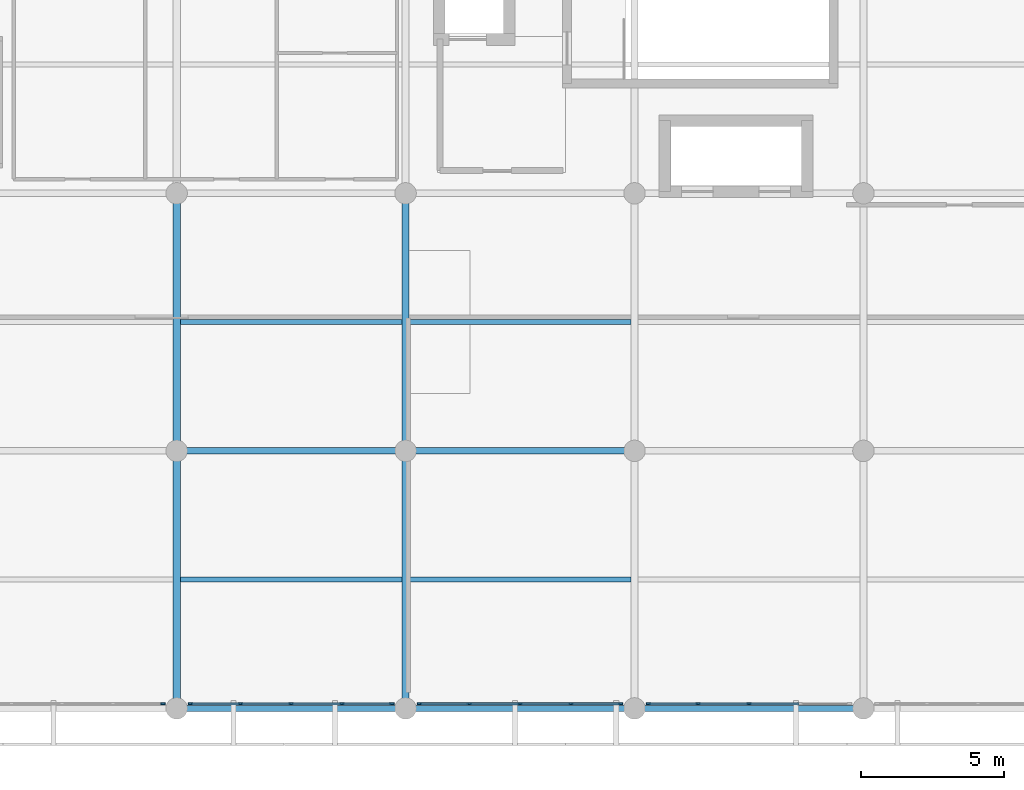
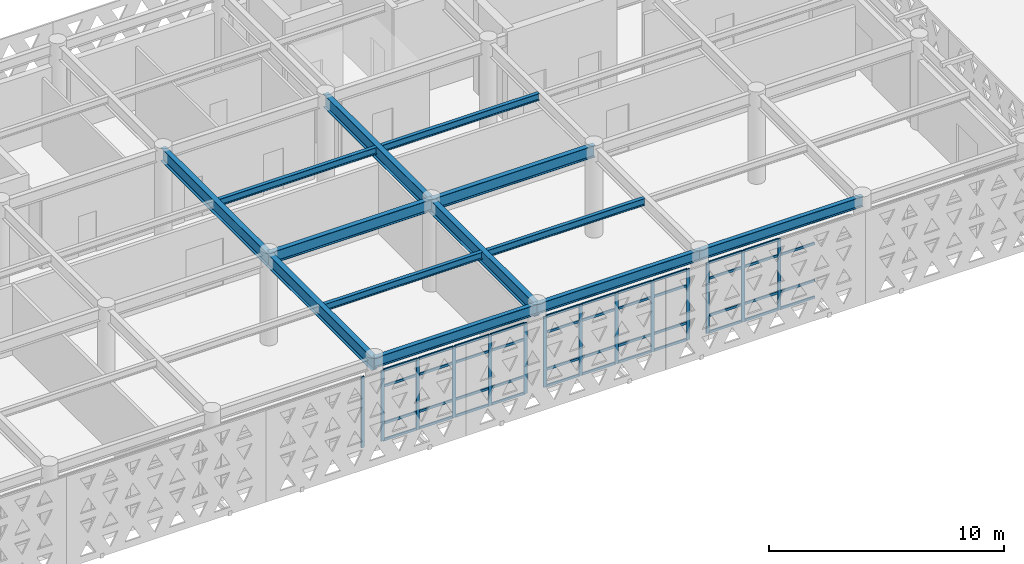
# One storey, part 10 of 26: 57 members, 13 beams, 4 elements without a shape of their own.
"""IFC4 building model written with IfcOpenShell, lengths in metres."""

from ifc_helpers import new_model, si_unit, direction, frame, origin, origin_2d, place, context, subcontext, project, spatial, rectangle, i_section, extrude, material, layer, layer_set, material_profile, profile_set, type_object, element, aggregate, save


model = new_model("IFC4")

# Units and contexts
model_context = context("Model", 3, precision=1e-05, world=origin(), true_north=direction((0.0, 1.0)))
body_context = subcontext(model_context, "Body", "Model", "MODEL_VIEW")
ifc_project = project(units=[si_unit("LENGTHUNIT", "METRE"), si_unit("AREAUNIT", "SQUARE_METRE"), si_unit("VOLUMEUNIT", "CUBIC_METRE"), si_unit("PLANEANGLEUNIT", "RADIAN"), si_unit("MASSUNIT", "GRAM", prefix="KILO")], contexts=[model_context])

# Site, building, storey
site_placement = place(None, origin())
site = spatial("IfcSite", under=ifc_project, at=site_placement, CompositionType="ELEMENT")
building_placement = place(site_placement, origin())
building = spatial("IfcBuilding", under=site, at=building_placement, Name="Tlacozan Convention Centre", CompositionType="ELEMENT")
storey_placement = place(building_placement, frame((0.0, 0.0, 21.0)))
storey = spatial("IfcBuildingStorey", under=building, at=storey_placement, Name="L04", CompositionType="ELEMENT", Elevation=21.0)

# Curtain wall, member
ifc_material_1 = material(Name="Dark Bronze Anodised Aluminium", Category="aluminium")
ifc_layer = layer(ifc_material_1, 0.159912109375)
ifc_layer_set = layer_set([ifc_layer], Name="Dark Bronze Anodised Aluminium")
curtain_wall_type = type_object("IfcCurtainWallType", Name="Unitised Congress L04 South CW05", PredefinedType="NOTDEFINED", material=ifc_layer_set)
curtain_wall_1_placement = place(storey_placement, origin())
curtain_wall_1 = element("IfcCurtainWall", 1, at=curtain_wall_1_placement, inside=storey, type_object=curtain_wall_type, Name="L04 CW-05 Run 129", PredefinedType="NOTDEFINED")
ifc_material_profile_1 = material_profile(ifc_material_1, rectangle(XDim=0.06494140625, YDim=0.159912109375, at=origin_2d()), Name="ALU 65x160")
ifc_profile_set_1 = profile_set([ifc_material_profile_1], Name="Dark Bronze Anodised Aluminium")
member_type_1 = type_object("IfcMemberType", Name="Curtain Wall Mullion 65x160", PredefinedType="MULLION", material=ifc_profile_set_1)
member_1_placement = place(storey_placement, frame((63.517578125, 0.159912109375, 0.0), z_axis=(0.0, 0.0, 1.0), x_axis=(0.0, 1.0, 0.0)))
member_1 = element("IfcMember", 2, at=member_1_placement, type_object=member_type_1, Name="CW-05 mullion 5", PredefinedType="MULLION", context=body_context, shape_type="SweptSolid", body=[
    extrude(rectangle(XDim=0.06494140625, YDim=0.159912109375, at=origin_2d()), origin(), (0.0, 0.0, 1.0), 3.679931640625),
])
aggregate(curtain_wall_1, [member_1])

# Curtain wall, members
curtain_wall_2_placement = place(storey_placement, origin())
curtain_wall_2 = element("IfcCurtainWall", 3, at=curtain_wall_2_placement, inside=storey, type_object=curtain_wall_type, Name="L04 CW-05 Run 130", PredefinedType="NOTDEFINED")
member_2_placement = place(storey_placement, frame((64.482421875, 0.159912109375, 0.0), z_axis=(0.0, 0.0, 1.0), x_axis=(0.0, 1.0, 0.0)))
member_2 = element("IfcMember", 4, at=member_2_placement, type_object=member_type_1, Name="CW-05 mullion 1", PredefinedType="MULLION", context=body_context, shape_type="SweptSolid", body=[
    extrude(rectangle(XDim=0.06494140625, YDim=0.159912109375, at=origin_2d()), origin(), (0.0, 0.0, 1.0), 3.679931640625),
])
member_3_placement = place(storey_placement, frame((66.22509765625, 0.159912109375, 0.0), z_axis=(0.0, 0.0, 1.0), x_axis=(0.0, 1.0, 0.0)))
member_3 = element("IfcMember", 5, at=member_3_placement, type_object=member_type_1, Name="CW-05 mullion 2", PredefinedType="MULLION", context=body_context, shape_type="SweptSolid", body=[
    extrude(rectangle(XDim=0.06494140625, YDim=0.159912109375, at=origin_2d()), origin(), (0.0, 0.0, 1.0), 3.679931640625),
])
member_4_placement = place(storey_placement, frame((68.0, 0.159912109375, 0.0), z_axis=(0.0, 0.0, 1.0), x_axis=(0.0, 1.0, 0.0)))
member_4 = element("IfcMember", 6, at=member_4_placement, type_object=member_type_1, Name="CW-05 mullion 3", PredefinedType="MULLION", context=body_context, shape_type="SweptSolid", body=[
    extrude(rectangle(XDim=0.06494140625, YDim=0.159912109375, at=origin_2d()), origin(), (0.0, 0.0, 1.0), 3.679931640625),
])
member_5_placement = place(storey_placement, frame((69.77490234375, 0.159912109375, 0.0), z_axis=(0.0, 0.0, 1.0), x_axis=(0.0, 1.0, 0.0)))
member_5 = element("IfcMember", 7, at=member_5_placement, type_object=member_type_1, Name="CW-05 mullion 4", PredefinedType="MULLION", context=body_context, shape_type="SweptSolid", body=[
    extrude(rectangle(XDim=0.06494140625, YDim=0.159912109375, at=origin_2d()), origin(), (0.0, 0.0, 1.0), 3.679931640625),
])
member_6_placement = place(storey_placement, frame((71.517578125, 0.159912109375, 0.0), z_axis=(0.0, 0.0, 1.0), x_axis=(0.0, 1.0, 0.0)))
member_6 = element("IfcMember", 8, at=member_6_placement, type_object=member_type_1, Name="CW-05 mullion 5", PredefinedType="MULLION", context=body_context, shape_type="SweptSolid", body=[
    extrude(rectangle(XDim=0.06494140625, YDim=0.159912109375, at=origin_2d()), origin(), (0.0, 0.0, 1.0), 3.679931640625),
])

curtain_wall_3_placement = place(storey_placement, origin())
curtain_wall_3 = element("IfcCurtainWall", 9, at=curtain_wall_3_placement, inside=storey, type_object=curtain_wall_type, Name="L04 CW-05 Run 131", PredefinedType="NOTDEFINED")
member_7_placement = place(storey_placement, frame((72.482421875, 0.159912109375, 0.0), z_axis=(0.0, 0.0, 1.0), x_axis=(0.0, 1.0, 0.0)))
member_7 = element("IfcMember", 10, at=member_7_placement, type_object=member_type_1, Name="CW-05 mullion 1", PredefinedType="MULLION", context=body_context, shape_type="SweptSolid", body=[
    extrude(rectangle(XDim=0.06494140625, YDim=0.159912109375, at=origin_2d()), origin(), (0.0, 0.0, 1.0), 3.679931640625),
])
member_8_placement = place(storey_placement, frame((74.22509765625, 0.159912109375, 0.0), z_axis=(0.0, 0.0, 1.0), x_axis=(0.0, 1.0, 0.0)))
member_8 = element("IfcMember", 11, at=member_8_placement, type_object=member_type_1, Name="CW-05 mullion 2", PredefinedType="MULLION", context=body_context, shape_type="SweptSolid", body=[
    extrude(rectangle(XDim=0.06494140625, YDim=0.159912109375, at=origin_2d()), origin(), (0.0, 0.0, 1.0), 3.679931640625),
])
member_9_placement = place(storey_placement, frame((76.0, 0.159912109375, 0.0), z_axis=(0.0, 0.0, 1.0), x_axis=(0.0, 1.0, 0.0)))
member_9 = element("IfcMember", 12, at=member_9_placement, type_object=member_type_1, Name="CW-05 mullion 3", PredefinedType="MULLION", context=body_context, shape_type="SweptSolid", body=[
    extrude(rectangle(XDim=0.06494140625, YDim=0.159912109375, at=origin_2d()), origin(), (0.0, 0.0, 1.0), 3.679931640625),
])
member_10_placement = place(storey_placement, frame((77.77490234375, 0.159912109375, 0.0), z_axis=(0.0, 0.0, 1.0), x_axis=(0.0, 1.0, 0.0)))
member_10 = element("IfcMember", 13, at=member_10_placement, type_object=member_type_1, Name="CW-05 mullion 4", PredefinedType="MULLION", context=body_context, shape_type="SweptSolid", body=[
    extrude(rectangle(XDim=0.06494140625, YDim=0.159912109375, at=origin_2d()), origin(), (0.0, 0.0, 1.0), 3.679931640625),
])
member_11_placement = place(storey_placement, frame((79.517578125, 0.159912109375, 0.0), z_axis=(0.0, 0.0, 1.0), x_axis=(0.0, 1.0, 0.0)))
member_11 = element("IfcMember", 14, at=member_11_placement, type_object=member_type_1, Name="CW-05 mullion 5", PredefinedType="MULLION", context=body_context, shape_type="SweptSolid", body=[
    extrude(rectangle(XDim=0.06494140625, YDim=0.159912109375, at=origin_2d()), origin(), (0.0, 0.0, 1.0), 3.679931640625),
])

curtain_wall_4_placement = place(storey_placement, origin())
curtain_wall_4 = element("IfcCurtainWall", 15, at=curtain_wall_4_placement, inside=storey, type_object=curtain_wall_type, Name="L04 CW-05 Run 132", PredefinedType="NOTDEFINED")
member_12_placement = place(storey_placement, frame((80.482421875, 0.159912109375, 0.0), z_axis=(0.0, 0.0, 1.0), x_axis=(0.0, 1.0, 0.0)))
member_12 = element("IfcMember", 16, at=member_12_placement, type_object=member_type_1, Name="CW-05 mullion 1", PredefinedType="MULLION", context=body_context, shape_type="SweptSolid", body=[
    extrude(rectangle(XDim=0.06494140625, YDim=0.159912109375, at=origin_2d()), origin(), (0.0, 0.0, 1.0), 3.679931640625),
])
member_13_placement = place(storey_placement, frame((82.22509765625, 0.159912109375, 0.0), z_axis=(0.0, 0.0, 1.0), x_axis=(0.0, 1.0, 0.0)))
member_13 = element("IfcMember", 17, at=member_13_placement, type_object=member_type_1, Name="CW-05 mullion 2", PredefinedType="MULLION", context=body_context, shape_type="SweptSolid", body=[
    extrude(rectangle(XDim=0.06494140625, YDim=0.159912109375, at=origin_2d()), origin(), (0.0, 0.0, 1.0), 3.679931640625),
])
member_14_placement = place(storey_placement, frame((84.0, 0.159912109375, 0.0), z_axis=(0.0, 0.0, 1.0), x_axis=(0.0, 1.0, 0.0)))
member_14 = element("IfcMember", 18, at=member_14_placement, type_object=member_type_1, Name="CW-05 mullion 3", PredefinedType="MULLION", context=body_context, shape_type="SweptSolid", body=[
    extrude(rectangle(XDim=0.06494140625, YDim=0.159912109375, at=origin_2d()), origin(), (0.0, 0.0, 1.0), 3.679931640625),
])

# Member
ifc_material_profile_2 = material_profile(ifc_material_1, rectangle(XDim=0.06494140625, YDim=0.125, at=origin_2d()), Name="ALU 65x125")
ifc_profile_set_2 = profile_set([ifc_material_profile_2], Name="Dark Bronze Anodised Aluminium")
member_type_2 = type_object("IfcMemberType", Name="Curtain Wall Transom 65x125", PredefinedType="USERDEFINED", material=ifc_profile_set_2)
member_15_placement = place(storey_placement, frame((64.514892578125, 0.159912109375, 0.032470703125), z_axis=(1.0, 0.0, 0.0), x_axis=(0.0, 1.0, 0.0)))
member_15 = element("IfcMember", 19, at=member_15_placement, type_object=member_type_2, Name="CW-05 transom 1.1", ObjectType="TRANSOM", PredefinedType="USERDEFINED", context=body_context, shape_type="SweptSolid", body=[
    extrude(rectangle(XDim=0.06494140625, YDim=0.125, at=origin_2d()), origin(), (0.0, 0.0, 1.0), 1.677490234375),
])

member_16_placement = place(storey_placement, frame((64.514892578125, 0.159912109375, 0.89990234375), z_axis=(1.0, 0.0, 0.0), x_axis=(0.0, 1.0, 0.0)))
member_16 = element("IfcMember", 20, at=member_16_placement, type_object=member_type_2, Name="CW-05 transom 1.2", ObjectType="TRANSOM", PredefinedType="USERDEFINED", context=body_context, shape_type="SweptSolid", body=[
    extrude(rectangle(XDim=0.06494140625, YDim=0.125, at=origin_2d()), origin(), (0.0, 0.0, 1.0), 1.677490234375),
])

member_17_placement = place(storey_placement, frame((64.514892578125, 0.159912109375, 2.830078125), z_axis=(1.0, 0.0, 0.0), x_axis=(0.0, 1.0, 0.0)))
member_17 = element("IfcMember", 21, at=member_17_placement, type_object=member_type_2, Name="CW-05 transom 1.3", ObjectType="TRANSOM", PredefinedType="USERDEFINED", context=body_context, shape_type="SweptSolid", body=[
    extrude(rectangle(XDim=0.06494140625, YDim=0.125, at=origin_2d()), origin(), (0.0, 0.0, 1.0), 1.677490234375),
])

member_18_placement = place(storey_placement, frame((64.514892578125, 0.159912109375, 3.6474609375), z_axis=(1.0, 0.0, 0.0), x_axis=(0.0, 1.0, 0.0)))
member_18 = element("IfcMember", 22, at=member_18_placement, type_object=member_type_2, Name="CW-05 transom 1.4", ObjectType="TRANSOM", PredefinedType="USERDEFINED", context=body_context, shape_type="SweptSolid", body=[
    extrude(rectangle(XDim=0.06494140625, YDim=0.125, at=origin_2d()), origin(), (0.0, 0.0, 1.0), 1.677490234375),
])

member_19_placement = place(storey_placement, frame((66.257568359375, 0.159912109375, 0.032470703125), z_axis=(1.0, 0.0, 0.0), x_axis=(0.0, 1.0, 0.0)))
member_19 = element("IfcMember", 23, at=member_19_placement, type_object=member_type_2, Name="CW-05 transom 2.1", ObjectType="TRANSOM", PredefinedType="USERDEFINED", context=body_context, shape_type="SweptSolid", body=[
    extrude(rectangle(XDim=0.06494140625, YDim=0.125, at=origin_2d()), origin(), (0.0, 0.0, 1.0), 1.7099609375),
])

member_20_placement = place(storey_placement, frame((66.257568359375, 0.159912109375, 0.89990234375), z_axis=(1.0, 0.0, 0.0), x_axis=(0.0, 1.0, 0.0)))
member_20 = element("IfcMember", 24, at=member_20_placement, type_object=member_type_2, Name="CW-05 transom 2.2", ObjectType="TRANSOM", PredefinedType="USERDEFINED", context=body_context, shape_type="SweptSolid", body=[
    extrude(rectangle(XDim=0.06494140625, YDim=0.125, at=origin_2d()), origin(), (0.0, 0.0, 1.0), 1.7099609375),
])

member_21_placement = place(storey_placement, frame((66.257568359375, 0.159912109375, 2.830078125), z_axis=(1.0, 0.0, 0.0), x_axis=(0.0, 1.0, 0.0)))
member_21 = element("IfcMember", 25, at=member_21_placement, type_object=member_type_2, Name="CW-05 transom 2.3", ObjectType="TRANSOM", PredefinedType="USERDEFINED", context=body_context, shape_type="SweptSolid", body=[
    extrude(rectangle(XDim=0.06494140625, YDim=0.125, at=origin_2d()), origin(), (0.0, 0.0, 1.0), 1.7099609375),
])

member_22_placement = place(storey_placement, frame((66.257568359375, 0.159912109375, 3.6474609375), z_axis=(1.0, 0.0, 0.0), x_axis=(0.0, 1.0, 0.0)))
member_22 = element("IfcMember", 26, at=member_22_placement, type_object=member_type_2, Name="CW-05 transom 2.4", ObjectType="TRANSOM", PredefinedType="USERDEFINED", context=body_context, shape_type="SweptSolid", body=[
    extrude(rectangle(XDim=0.06494140625, YDim=0.125, at=origin_2d()), origin(), (0.0, 0.0, 1.0), 1.7099609375),
])

member_23_placement = place(storey_placement, frame((68.032470703125, 0.159912109375, 0.032470703125), z_axis=(1.0, 0.0, 0.0), x_axis=(0.0, 1.0, 0.0)))
member_23 = element("IfcMember", 27, at=member_23_placement, type_object=member_type_2, Name="CW-05 transom 3.1", ObjectType="TRANSOM", PredefinedType="USERDEFINED", context=body_context, shape_type="SweptSolid", body=[
    extrude(rectangle(XDim=0.06494140625, YDim=0.125, at=origin_2d()), origin(), (0.0, 0.0, 1.0), 1.7099609375),
])

member_24_placement = place(storey_placement, frame((68.032470703125, 0.159912109375, 0.89990234375), z_axis=(1.0, 0.0, 0.0), x_axis=(0.0, 1.0, 0.0)))
member_24 = element("IfcMember", 28, at=member_24_placement, type_object=member_type_2, Name="CW-05 transom 3.2", ObjectType="TRANSOM", PredefinedType="USERDEFINED", context=body_context, shape_type="SweptSolid", body=[
    extrude(rectangle(XDim=0.06494140625, YDim=0.125, at=origin_2d()), origin(), (0.0, 0.0, 1.0), 1.7099609375),
])

member_25_placement = place(storey_placement, frame((68.032470703125, 0.159912109375, 2.830078125), z_axis=(1.0, 0.0, 0.0), x_axis=(0.0, 1.0, 0.0)))
member_25 = element("IfcMember", 29, at=member_25_placement, type_object=member_type_2, Name="CW-05 transom 3.3", ObjectType="TRANSOM", PredefinedType="USERDEFINED", context=body_context, shape_type="SweptSolid", body=[
    extrude(rectangle(XDim=0.06494140625, YDim=0.125, at=origin_2d()), origin(), (0.0, 0.0, 1.0), 1.7099609375),
])

member_26_placement = place(storey_placement, frame((68.032470703125, 0.159912109375, 3.6474609375), z_axis=(1.0, 0.0, 0.0), x_axis=(0.0, 1.0, 0.0)))
member_26 = element("IfcMember", 30, at=member_26_placement, type_object=member_type_2, Name="CW-05 transom 3.4", ObjectType="TRANSOM", PredefinedType="USERDEFINED", context=body_context, shape_type="SweptSolid", body=[
    extrude(rectangle(XDim=0.06494140625, YDim=0.125, at=origin_2d()), origin(), (0.0, 0.0, 1.0), 1.7099609375),
])

member_27_placement = place(storey_placement, frame((69.8076171875, 0.159912109375, 0.032470703125), z_axis=(1.0, 0.0, 0.0), x_axis=(0.0, 1.0, 0.0)))
member_27 = element("IfcMember", 31, at=member_27_placement, type_object=member_type_2, Name="CW-05 transom 4.1", ObjectType="TRANSOM", PredefinedType="USERDEFINED", context=body_context, shape_type="SweptSolid", body=[
    extrude(rectangle(XDim=0.06494140625, YDim=0.125, at=origin_2d()), origin(), (0.0, 0.0, 1.0), 1.677490234375),
])

member_28_placement = place(storey_placement, frame((69.8076171875, 0.159912109375, 0.89990234375), z_axis=(1.0, 0.0, 0.0), x_axis=(0.0, 1.0, 0.0)))
member_28 = element("IfcMember", 32, at=member_28_placement, type_object=member_type_2, Name="CW-05 transom 4.2", ObjectType="TRANSOM", PredefinedType="USERDEFINED", context=body_context, shape_type="SweptSolid", body=[
    extrude(rectangle(XDim=0.06494140625, YDim=0.125, at=origin_2d()), origin(), (0.0, 0.0, 1.0), 1.677490234375),
])

member_29_placement = place(storey_placement, frame((69.8076171875, 0.159912109375, 2.830078125), z_axis=(1.0, 0.0, 0.0), x_axis=(0.0, 1.0, 0.0)))
member_29 = element("IfcMember", 33, at=member_29_placement, type_object=member_type_2, Name="CW-05 transom 4.3", ObjectType="TRANSOM", PredefinedType="USERDEFINED", context=body_context, shape_type="SweptSolid", body=[
    extrude(rectangle(XDim=0.06494140625, YDim=0.125, at=origin_2d()), origin(), (0.0, 0.0, 1.0), 1.677490234375),
])

member_30_placement = place(storey_placement, frame((69.8076171875, 0.159912109375, 3.6474609375), z_axis=(1.0, 0.0, 0.0), x_axis=(0.0, 1.0, 0.0)))
member_30 = element("IfcMember", 34, at=member_30_placement, type_object=member_type_2, Name="CW-05 transom 4.4", ObjectType="TRANSOM", PredefinedType="USERDEFINED", context=body_context, shape_type="SweptSolid", body=[
    extrude(rectangle(XDim=0.06494140625, YDim=0.125, at=origin_2d()), origin(), (0.0, 0.0, 1.0), 1.677490234375),
])

aggregate(curtain_wall_2, [member_2, member_3, member_4, member_5, member_6, member_15, member_16, member_17, member_18, member_19, member_20, member_21, member_22, member_23, member_24, member_25, member_26, member_27, member_28, member_29, member_30])

member_31_placement = place(storey_placement, frame((72.514892578125, 0.159912109375, 0.032470703125), z_axis=(1.0, 0.0, 0.0), x_axis=(0.0, 1.0, 0.0)))
member_31 = element("IfcMember", 35, at=member_31_placement, type_object=member_type_2, Name="CW-05 transom 1.1", ObjectType="TRANSOM", PredefinedType="USERDEFINED", context=body_context, shape_type="SweptSolid", body=[
    extrude(rectangle(XDim=0.06494140625, YDim=0.125, at=origin_2d()), origin(), (0.0, 0.0, 1.0), 1.677490234375),
])

member_32_placement = place(storey_placement, frame((72.514892578125, 0.159912109375, 0.89990234375), z_axis=(1.0, 0.0, 0.0), x_axis=(0.0, 1.0, 0.0)))
member_32 = element("IfcMember", 36, at=member_32_placement, type_object=member_type_2, Name="CW-05 transom 1.2", ObjectType="TRANSOM", PredefinedType="USERDEFINED", context=body_context, shape_type="SweptSolid", body=[
    extrude(rectangle(XDim=0.06494140625, YDim=0.125, at=origin_2d()), origin(), (0.0, 0.0, 1.0), 1.677490234375),
])

member_33_placement = place(storey_placement, frame((72.514892578125, 0.159912109375, 2.830078125), z_axis=(1.0, 0.0, 0.0), x_axis=(0.0, 1.0, 0.0)))
member_33 = element("IfcMember", 37, at=member_33_placement, type_object=member_type_2, Name="CW-05 transom 1.3", ObjectType="TRANSOM", PredefinedType="USERDEFINED", context=body_context, shape_type="SweptSolid", body=[
    extrude(rectangle(XDim=0.06494140625, YDim=0.125, at=origin_2d()), origin(), (0.0, 0.0, 1.0), 1.677490234375),
])

member_34_placement = place(storey_placement, frame((72.514892578125, 0.159912109375, 3.6474609375), z_axis=(1.0, 0.0, 0.0), x_axis=(0.0, 1.0, 0.0)))
member_34 = element("IfcMember", 38, at=member_34_placement, type_object=member_type_2, Name="CW-05 transom 1.4", ObjectType="TRANSOM", PredefinedType="USERDEFINED", context=body_context, shape_type="SweptSolid", body=[
    extrude(rectangle(XDim=0.06494140625, YDim=0.125, at=origin_2d()), origin(), (0.0, 0.0, 1.0), 1.677490234375),
])

member_35_placement = place(storey_placement, frame((74.257568359375, 0.159912109375, 0.032470703125), z_axis=(1.0, 0.0, 0.0), x_axis=(0.0, 1.0, 0.0)))
member_35 = element("IfcMember", 39, at=member_35_placement, type_object=member_type_2, Name="CW-05 transom 2.1", ObjectType="TRANSOM", PredefinedType="USERDEFINED", context=body_context, shape_type="SweptSolid", body=[
    extrude(rectangle(XDim=0.06494140625, YDim=0.125, at=origin_2d()), origin(), (0.0, 0.0, 1.0), 1.7099609375),
])

member_36_placement = place(storey_placement, frame((74.257568359375, 0.159912109375, 0.89990234375), z_axis=(1.0, 0.0, 0.0), x_axis=(0.0, 1.0, 0.0)))
member_36 = element("IfcMember", 40, at=member_36_placement, type_object=member_type_2, Name="CW-05 transom 2.2", ObjectType="TRANSOM", PredefinedType="USERDEFINED", context=body_context, shape_type="SweptSolid", body=[
    extrude(rectangle(XDim=0.06494140625, YDim=0.125, at=origin_2d()), origin(), (0.0, 0.0, 1.0), 1.7099609375),
])

member_37_placement = place(storey_placement, frame((74.257568359375, 0.159912109375, 2.830078125), z_axis=(1.0, 0.0, 0.0), x_axis=(0.0, 1.0, 0.0)))
member_37 = element("IfcMember", 41, at=member_37_placement, type_object=member_type_2, Name="CW-05 transom 2.3", ObjectType="TRANSOM", PredefinedType="USERDEFINED", context=body_context, shape_type="SweptSolid", body=[
    extrude(rectangle(XDim=0.06494140625, YDim=0.125, at=origin_2d()), origin(), (0.0, 0.0, 1.0), 1.7099609375),
])

member_38_placement = place(storey_placement, frame((74.257568359375, 0.159912109375, 3.6474609375), z_axis=(1.0, 0.0, 0.0), x_axis=(0.0, 1.0, 0.0)))
member_38 = element("IfcMember", 42, at=member_38_placement, type_object=member_type_2, Name="CW-05 transom 2.4", ObjectType="TRANSOM", PredefinedType="USERDEFINED", context=body_context, shape_type="SweptSolid", body=[
    extrude(rectangle(XDim=0.06494140625, YDim=0.125, at=origin_2d()), origin(), (0.0, 0.0, 1.0), 1.7099609375),
])

member_39_placement = place(storey_placement, frame((76.032470703125, 0.159912109375, 0.032470703125), z_axis=(1.0, 0.0, 0.0), x_axis=(0.0, 1.0, 0.0)))
member_39 = element("IfcMember", 43, at=member_39_placement, type_object=member_type_2, Name="CW-05 transom 3.1", ObjectType="TRANSOM", PredefinedType="USERDEFINED", context=body_context, shape_type="SweptSolid", body=[
    extrude(rectangle(XDim=0.06494140625, YDim=0.125, at=origin_2d()), origin(), (0.0, 0.0, 1.0), 1.7099609375),
])

member_40_placement = place(storey_placement, frame((76.032470703125, 0.159912109375, 0.89990234375), z_axis=(1.0, 0.0, 0.0), x_axis=(0.0, 1.0, 0.0)))
member_40 = element("IfcMember", 44, at=member_40_placement, type_object=member_type_2, Name="CW-05 transom 3.2", ObjectType="TRANSOM", PredefinedType="USERDEFINED", context=body_context, shape_type="SweptSolid", body=[
    extrude(rectangle(XDim=0.06494140625, YDim=0.125, at=origin_2d()), origin(), (0.0, 0.0, 1.0), 1.7099609375),
])

member_41_placement = place(storey_placement, frame((76.032470703125, 0.159912109375, 2.830078125), z_axis=(1.0, 0.0, 0.0), x_axis=(0.0, 1.0, 0.0)))
member_41 = element("IfcMember", 45, at=member_41_placement, type_object=member_type_2, Name="CW-05 transom 3.3", ObjectType="TRANSOM", PredefinedType="USERDEFINED", context=body_context, shape_type="SweptSolid", body=[
    extrude(rectangle(XDim=0.06494140625, YDim=0.125, at=origin_2d()), origin(), (0.0, 0.0, 1.0), 1.7099609375),
])

member_42_placement = place(storey_placement, frame((76.032470703125, 0.159912109375, 3.6474609375), z_axis=(1.0, 0.0, 0.0), x_axis=(0.0, 1.0, 0.0)))
member_42 = element("IfcMember", 46, at=member_42_placement, type_object=member_type_2, Name="CW-05 transom 3.4", ObjectType="TRANSOM", PredefinedType="USERDEFINED", context=body_context, shape_type="SweptSolid", body=[
    extrude(rectangle(XDim=0.06494140625, YDim=0.125, at=origin_2d()), origin(), (0.0, 0.0, 1.0), 1.7099609375),
])

member_43_placement = place(storey_placement, frame((77.8076171875, 0.159912109375, 0.032470703125), z_axis=(1.0, 0.0, 0.0), x_axis=(0.0, 1.0, 0.0)))
member_43 = element("IfcMember", 47, at=member_43_placement, type_object=member_type_2, Name="CW-05 transom 4.1", ObjectType="TRANSOM", PredefinedType="USERDEFINED", context=body_context, shape_type="SweptSolid", body=[
    extrude(rectangle(XDim=0.06494140625, YDim=0.125, at=origin_2d()), origin(), (0.0, 0.0, 1.0), 1.677490234375),
])

member_44_placement = place(storey_placement, frame((77.8076171875, 0.159912109375, 0.89990234375), z_axis=(1.0, 0.0, 0.0), x_axis=(0.0, 1.0, 0.0)))
member_44 = element("IfcMember", 48, at=member_44_placement, type_object=member_type_2, Name="CW-05 transom 4.2", ObjectType="TRANSOM", PredefinedType="USERDEFINED", context=body_context, shape_type="SweptSolid", body=[
    extrude(rectangle(XDim=0.06494140625, YDim=0.125, at=origin_2d()), origin(), (0.0, 0.0, 1.0), 1.677490234375),
])

member_45_placement = place(storey_placement, frame((77.8076171875, 0.159912109375, 2.830078125), z_axis=(1.0, 0.0, 0.0), x_axis=(0.0, 1.0, 0.0)))
member_45 = element("IfcMember", 49, at=member_45_placement, type_object=member_type_2, Name="CW-05 transom 4.3", ObjectType="TRANSOM", PredefinedType="USERDEFINED", context=body_context, shape_type="SweptSolid", body=[
    extrude(rectangle(XDim=0.06494140625, YDim=0.125, at=origin_2d()), origin(), (0.0, 0.0, 1.0), 1.677490234375),
])

member_46_placement = place(storey_placement, frame((77.8076171875, 0.159912109375, 3.6474609375), z_axis=(1.0, 0.0, 0.0), x_axis=(0.0, 1.0, 0.0)))
member_46 = element("IfcMember", 50, at=member_46_placement, type_object=member_type_2, Name="CW-05 transom 4.4", ObjectType="TRANSOM", PredefinedType="USERDEFINED", context=body_context, shape_type="SweptSolid", body=[
    extrude(rectangle(XDim=0.06494140625, YDim=0.125, at=origin_2d()), origin(), (0.0, 0.0, 1.0), 1.677490234375),
])

aggregate(curtain_wall_3, [member_7, member_8, member_9, member_10, member_11, member_31, member_32, member_33, member_34, member_35, member_36, member_37, member_38, member_39, member_40, member_41, member_42, member_43, member_44, member_45, member_46])

member_47_placement = place(storey_placement, frame((80.514892578125, 0.159912109375, 0.032470703125), z_axis=(1.0, 0.0, 0.0), x_axis=(0.0, 1.0, 0.0)))
member_47 = element("IfcMember", 51, at=member_47_placement, type_object=member_type_2, Name="CW-05 transom 1.1", ObjectType="TRANSOM", PredefinedType="USERDEFINED", context=body_context, shape_type="SweptSolid", body=[
    extrude(rectangle(XDim=0.06494140625, YDim=0.125, at=origin_2d()), origin(), (0.0, 0.0, 1.0), 1.677490234375),
])

member_48_placement = place(storey_placement, frame((80.514892578125, 0.159912109375, 0.89990234375), z_axis=(1.0, 0.0, 0.0), x_axis=(0.0, 1.0, 0.0)))
member_48 = element("IfcMember", 52, at=member_48_placement, type_object=member_type_2, Name="CW-05 transom 1.2", ObjectType="TRANSOM", PredefinedType="USERDEFINED", context=body_context, shape_type="SweptSolid", body=[
    extrude(rectangle(XDim=0.06494140625, YDim=0.125, at=origin_2d()), origin(), (0.0, 0.0, 1.0), 1.677490234375),
])

member_49_placement = place(storey_placement, frame((80.514892578125, 0.159912109375, 2.830078125), z_axis=(1.0, 0.0, 0.0), x_axis=(0.0, 1.0, 0.0)))
member_49 = element("IfcMember", 53, at=member_49_placement, type_object=member_type_2, Name="CW-05 transom 1.3", ObjectType="TRANSOM", PredefinedType="USERDEFINED", context=body_context, shape_type="SweptSolid", body=[
    extrude(rectangle(XDim=0.06494140625, YDim=0.125, at=origin_2d()), origin(), (0.0, 0.0, 1.0), 1.677490234375),
])

member_50_placement = place(storey_placement, frame((80.514892578125, 0.159912109375, 3.6474609375), z_axis=(1.0, 0.0, 0.0), x_axis=(0.0, 1.0, 0.0)))
member_50 = element("IfcMember", 54, at=member_50_placement, type_object=member_type_2, Name="CW-05 transom 1.4", ObjectType="TRANSOM", PredefinedType="USERDEFINED", context=body_context, shape_type="SweptSolid", body=[
    extrude(rectangle(XDim=0.06494140625, YDim=0.125, at=origin_2d()), origin(), (0.0, 0.0, 1.0), 1.677490234375),
])

member_51_placement = place(storey_placement, frame((82.257568359375, 0.159912109375, 0.032470703125), z_axis=(1.0, 0.0, 0.0), x_axis=(0.0, 1.0, 0.0)))
member_51 = element("IfcMember", 55, at=member_51_placement, type_object=member_type_2, Name="CW-05 transom 2.1", ObjectType="TRANSOM", PredefinedType="USERDEFINED", context=body_context, shape_type="SweptSolid", body=[
    extrude(rectangle(XDim=0.06494140625, YDim=0.125, at=origin_2d()), origin(), (0.0, 0.0, 1.0), 1.7099609375),
])

member_52_placement = place(storey_placement, frame((82.257568359375, 0.159912109375, 0.89990234375), z_axis=(1.0, 0.0, 0.0), x_axis=(0.0, 1.0, 0.0)))
member_52 = element("IfcMember", 56, at=member_52_placement, type_object=member_type_2, Name="CW-05 transom 2.2", ObjectType="TRANSOM", PredefinedType="USERDEFINED", context=body_context, shape_type="SweptSolid", body=[
    extrude(rectangle(XDim=0.06494140625, YDim=0.125, at=origin_2d()), origin(), (0.0, 0.0, 1.0), 1.7099609375),
])

member_53_placement = place(storey_placement, frame((82.257568359375, 0.159912109375, 2.830078125), z_axis=(1.0, 0.0, 0.0), x_axis=(0.0, 1.0, 0.0)))
member_53 = element("IfcMember", 57, at=member_53_placement, type_object=member_type_2, Name="CW-05 transom 2.3", ObjectType="TRANSOM", PredefinedType="USERDEFINED", context=body_context, shape_type="SweptSolid", body=[
    extrude(rectangle(XDim=0.06494140625, YDim=0.125, at=origin_2d()), origin(), (0.0, 0.0, 1.0), 1.7099609375),
])

member_54_placement = place(storey_placement, frame((82.257568359375, 0.159912109375, 3.6474609375), z_axis=(1.0, 0.0, 0.0), x_axis=(0.0, 1.0, 0.0)))
member_54 = element("IfcMember", 58, at=member_54_placement, type_object=member_type_2, Name="CW-05 transom 2.4", ObjectType="TRANSOM", PredefinedType="USERDEFINED", context=body_context, shape_type="SweptSolid", body=[
    extrude(rectangle(XDim=0.06494140625, YDim=0.125, at=origin_2d()), origin(), (0.0, 0.0, 1.0), 1.7099609375),
])

member_55_placement = place(storey_placement, frame((84.032470703125, 0.159912109375, 0.032470703125), z_axis=(1.0, 0.0, 0.0), x_axis=(0.0, 1.0, 0.0)))
member_55 = element("IfcMember", 59, at=member_55_placement, type_object=member_type_2, Name="CW-05 transom 3.1", ObjectType="TRANSOM", PredefinedType="USERDEFINED", context=body_context, shape_type="SweptSolid", body=[
    extrude(rectangle(XDim=0.06494140625, YDim=0.125, at=origin_2d()), origin(), (0.0, 0.0, 1.0), 1.7099609375),
])

member_56_placement = place(storey_placement, frame((84.032470703125, 0.159912109375, 0.89990234375), z_axis=(1.0, 0.0, 0.0), x_axis=(0.0, 1.0, 0.0)))
member_56 = element("IfcMember", 60, at=member_56_placement, type_object=member_type_2, Name="CW-05 transom 3.2", ObjectType="TRANSOM", PredefinedType="USERDEFINED", context=body_context, shape_type="SweptSolid", body=[
    extrude(rectangle(XDim=0.06494140625, YDim=0.125, at=origin_2d()), origin(), (0.0, 0.0, 1.0), 1.7099609375),
])

member_57_placement = place(storey_placement, frame((84.032470703125, 0.159912109375, 2.830078125), z_axis=(1.0, 0.0, 0.0), x_axis=(0.0, 1.0, 0.0)))
member_57 = element("IfcMember", 61, at=member_57_placement, type_object=member_type_2, Name="CW-05 transom 3.3", ObjectType="TRANSOM", PredefinedType="USERDEFINED", context=body_context, shape_type="SweptSolid", body=[
    extrude(rectangle(XDim=0.06494140625, YDim=0.125, at=origin_2d()), origin(), (0.0, 0.0, 1.0), 1.7099609375),
])

aggregate(curtain_wall_4, [member_12, member_13, member_14, member_47, member_48, member_49, member_50, member_51, member_52, member_53, member_54, member_55, member_56, member_57])

# Beams
ifc_material_2 = material(Name="Steel ASTM A992 Grade 50", Category="steel")
ifc_material_profile_3 = material_profile(ifc_material_2, i_section(OverallWidth=0.22900390625, OverallDepth=0.612060546875, WebThickness=0.011962890625, FlangeThickness=0.01953125, FilletRadius=0.012939453125, at=origin_2d()), Name="IR 610x125.0")
ifc_profile_set_3 = profile_set([ifc_material_profile_3], Name="Steel ASTM A992 Grade 50")
beam_type_1 = type_object("IfcBeamType", Name="Floor Beam IR 610x125", PredefinedType="BEAM", material=ifc_profile_set_3)
for number, where, z_axis, x_axis, name in (
    (62, (64.0, 9.0, 4.333984375), (1.0, 0.0, 0.0), (0.0, 1.0, 0.0), "L04 Floor Beam IR 610x125 718"),
    (63, (72.0, 9.0, 4.333984375), (1.0, 0.0, 0.0), (0.0, 1.0, 0.0), "L04 Floor Beam IR 610x125 722"),
):
    element("IfcBeam", number, at=place(storey_placement, frame(where, z_axis=z_axis, x_axis=x_axis)), inside=storey, type_object=beam_type_1, Name=name, PredefinedType="BEAM", context=body_context, shape_type="SweptSolid", body=[
        extrude(i_section(OverallWidth=0.22900390625, OverallDepth=0.612060546875, WebThickness=0.011962890625, FlangeThickness=0.01953125, FilletRadius=0.012939453125, at=origin_2d()), origin(), (0.0, 0.0, 1.0), 8.0),
    ])
ifc_material_profile_4 = material_profile(ifc_material_2, i_section(OverallWidth=0.256103515625, OverallDepth=0.693115234375, WebThickness=0.014404296875, FlangeThickness=0.023681640625, FilletRadius=0.014892578125, at=origin_2d()), Name="IR 686x170.0")
ifc_profile_set_4 = profile_set([ifc_material_profile_4], Name="Steel ASTM A992 Grade 50")
beam_type_2 = type_object("IfcBeamType", Name="Girder Steel IR 686x170", PredefinedType="BEAM", material=ifc_profile_set_4)
for number, where, z_axis, x_axis, name in (
    (64, (64.0, 0.0, 4.29345703125), (0.0, 1.0, 0.0), (-1.0, 0.0, 0.0), "L04 Girder Steel IR 686x170 671"),
    (65, (64.0, 9.0, 4.29345703125), (0.0, 1.0, 0.0), (-1.0, 0.0, 0.0), "L04 Girder Steel IR 686x170 672"),
    (66, (72.0, 0.0, 4.29345703125), (0.0, 1.0, 0.0), (-1.0, 0.0, 0.0), "L04 Girder Steel IR 686x170 674"),
    (67, (72.0, 9.0, 4.29345703125), (0.0, 1.0, 0.0), (-1.0, 0.0, 0.0), "L04 Girder Steel IR 686x170 675"),
):
    element("IfcBeam", number, at=place(storey_placement, frame(where, z_axis=z_axis, x_axis=x_axis)), inside=storey, type_object=beam_type_2, Name=name, PredefinedType="BEAM", context=body_context, shape_type="SweptSolid", body=[
        extrude(i_section(OverallWidth=0.256103515625, OverallDepth=0.693115234375, WebThickness=0.014404296875, FlangeThickness=0.023681640625, FilletRadius=0.014892578125, at=origin_2d()), origin(), (0.0, 0.0, 1.0), 9.0),
    ])
ifc_material_profile_5 = material_profile(ifc_material_2, i_section(OverallWidth=0.2109375, OverallDepth=0.5390625, WebThickness=0.01171875, FlangeThickness=0.018798828125, FilletRadius=0.012939453125, at=origin_2d()), Name="IR 533x109.0")
ifc_profile_set_5 = profile_set([ifc_material_profile_5], Name="Steel ASTM A992 Grade 50")
beam_type_3 = type_object("IfcBeamType", Name="Perimeter Spandrel IR 533x109", PredefinedType="SPANDREL", material=ifc_profile_set_5)
for number, where, z_axis, x_axis, name in (
    (68, (64.0, 0.0, 4.37060546875), (1.0, 0.0, 0.0), (0.0, 1.0, 0.0), "L04 Perimeter Spandrel IR 533x109 717"),
    (69, (72.0, 0.0, 4.37060546875), (1.0, 0.0, 0.0), (0.0, 1.0, 0.0), "L04 Perimeter Spandrel IR 533x109 721"),
    (70, (80.0, 0.0, 4.37060546875), (1.0, 0.0, 0.0), (0.0, 1.0, 0.0), "L04 Perimeter Spandrel IR 533x109 725"),
):
    element("IfcBeam", number, at=place(storey_placement, frame(where, z_axis=z_axis, x_axis=x_axis)), inside=storey, type_object=beam_type_3, Name=name, PredefinedType="SPANDREL", context=body_context, shape_type="SweptSolid", body=[
        extrude(i_section(OverallWidth=0.2109375, OverallDepth=0.5390625, WebThickness=0.01171875, FlangeThickness=0.018798828125, FilletRadius=0.012939453125, at=origin_2d()), origin(), (0.0, 0.0, 1.0), 8.0),
    ])
ifc_material_profile_6 = material_profile(ifc_material_2, i_section(OverallWidth=0.173095703125, OverallDepth=0.364013671875, WebThickness=0.009033203125, FlangeThickness=0.015625, FilletRadius=0.010009765625, at=origin_2d()), Name="IR 356x67.1")
ifc_profile_set_6 = profile_set([ifc_material_profile_6], Name="Steel ASTM A992 Grade 50")
beam_type_4 = type_object("IfcBeamType", Name="Secondary Joist IR 356x67.1", PredefinedType="JOIST", material=ifc_profile_set_6)
for number, where, z_axis, x_axis, name in (
    (71, (64.1259765625, 4.5, 4.4580078125), (1.0, 0.0, 0.0), (0.0, 1.0, 0.0), "L04 Secondary Joist IR 356x67.1 757"),
    (72, (64.1259765625, 13.5, 4.4580078125), (1.0, 0.0, 0.0), (0.0, 1.0, 0.0), "L04 Secondary Joist IR 356x67.1 758"),
    (73, (72.1259765625, 4.5, 4.4580078125), (1.0, 0.0, 0.0), (0.0, 1.0, 0.0), "L04 Secondary Joist IR 356x67.1 760"),
    (74, (72.1259765625, 13.5, 4.4580078125), (1.0, 0.0, 0.0), (0.0, 1.0, 0.0), "L04 Secondary Joist IR 356x67.1 761"),
):
    element("IfcBeam", number, at=place(storey_placement, frame(where, z_axis=z_axis, x_axis=x_axis)), inside=storey, type_object=beam_type_4, Name=name, PredefinedType="JOIST", context=body_context, shape_type="SweptSolid", body=[
        extrude(i_section(OverallWidth=0.173095703125, OverallDepth=0.364013671875, WebThickness=0.009033203125, FlangeThickness=0.015625, FilletRadius=0.010009765625, at=origin_2d()), origin(), (0.0, 0.0, 1.0), 7.748046875),
    ])

save(model, "model.ifc")
